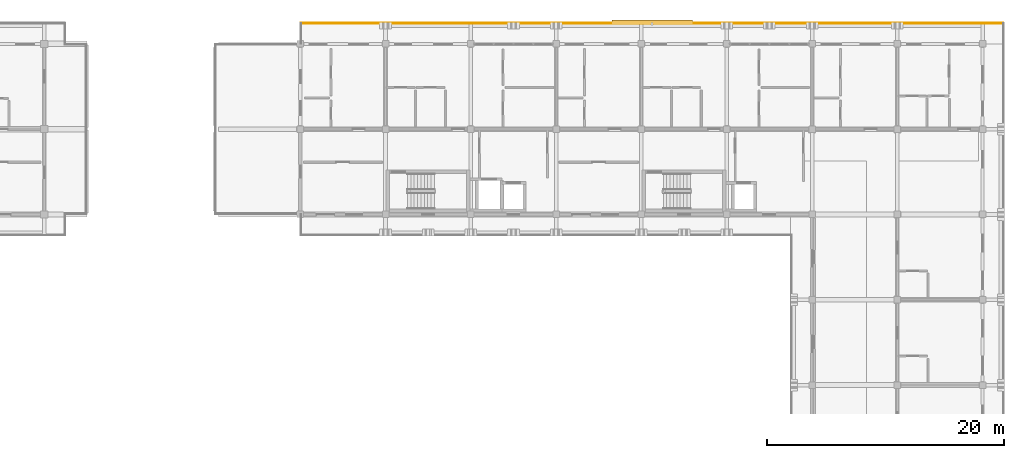
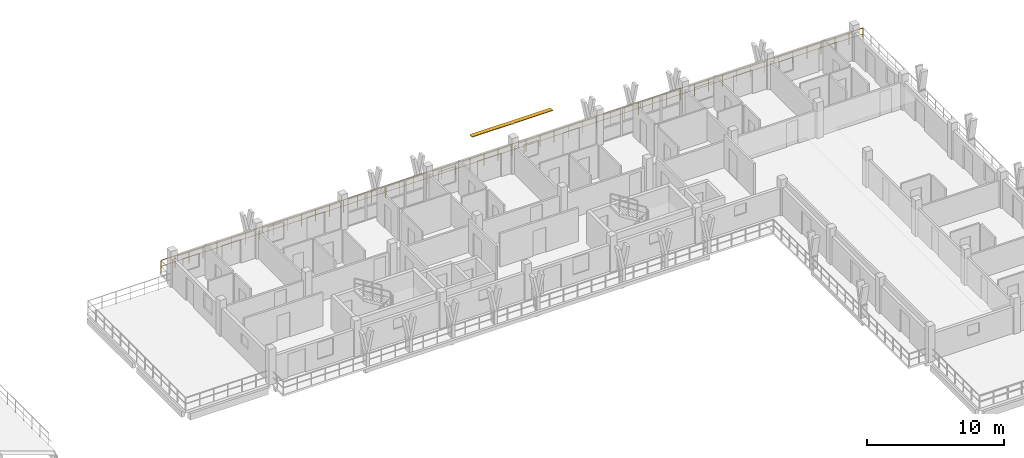
# One storey, part 73 of 73: 1 railing, 1 shading device.
"""IFC4 building model written with IfcOpenShell, lengths in metres."""

from ifc_helpers import new_model, si_unit, direction, frame, origin, origin_2d, place, context, subcontext, project, spatial, rectangle, extrude, material, type_object, element, save


model = new_model("IFC4")

# Units and contexts
model_context = context("Model", 3, precision=1e-05, world=origin(), true_north=direction((0.0, 1.0)))
body_context = subcontext(model_context, "Body", "Model", "MODEL_VIEW")
ifc_project = project(units=[si_unit("LENGTHUNIT", "METRE"), si_unit("AREAUNIT", "SQUARE_METRE"), si_unit("VOLUMEUNIT", "CUBIC_METRE"), si_unit("PLANEANGLEUNIT", "RADIAN"), si_unit("MASSUNIT", "GRAM", prefix="KILO")], contexts=[model_context])

# Site, building, storey
site_placement = place(None, origin())
site = spatial("IfcSite", under=ifc_project, at=site_placement, CompositionType="ELEMENT")
building_placement = place(site_placement, origin())
building = spatial("IfcBuilding", under=site, at=building_placement, Name="Suanplinth Sawtooth Commons", CompositionType="ELEMENT")
storey_placement = place(building_placement, frame((0.0, 0.0, 21.89990234375)))
storey = spatial("IfcBuildingStorey", under=building, at=storey_placement, Name="L06", CompositionType="ELEMENT", Elevation=21.89990234375)

# Railing
ifc_material_1 = material(Name="Powder-coated galvanized steel", Category="steel")
railing_type = type_object("IfcRailingType", Name="GR-01", PredefinedType="BALUSTRADE", material=ifc_material_1)
railing_placement = place(storey_placement, frame((129.659912109375, 124.139892578125, 0.0)))
element("IfcRailing", 1, at=railing_placement, inside=storey, type_object=railing_type, Name="L06 Block B Perimeter Balustrade 9", PredefinedType="BALUSTRADE", context=body_context, shape_type="SweptSolid", body=[
    extrude(rectangle(XDim=0.048095703125, YDim=0.048095703125, at=origin_2d()), frame((0.0, 0.0, 1.09619140625), z_axis=(1.0, 0.0, 0.0), x_axis=(0.0, 1.0, 0.0)), (0.0, 0.0, 1.0), 59.280029296875),
    extrude(rectangle(XDim=0.03369140625, YDim=0.03369140625, at=origin_2d()), frame((0.0, 0.0, 0.56005859375), z_axis=(1.0, 0.0, 0.0), x_axis=(0.0, 1.0, 0.0)), (0.0, 0.0, 1.0), 59.280029296875),
    extrude(rectangle(XDim=0.0419921875, YDim=0.0419921875, at=origin_2d()), origin(), (0.0, 0.0, 1.0), 1.072021484375),
    extrude(rectangle(XDim=0.0419921875, YDim=0.0419921875, at=origin_2d()), frame((1.185546875, 0.0, 0.0)), (0.0, 0.0, 1.0), 1.072021484375),
    extrude(rectangle(XDim=0.0419921875, YDim=0.0419921875, at=origin_2d()), frame((2.37109375, 0.0, 0.0)), (0.0, 0.0, 1.0), 1.072021484375),
    extrude(rectangle(XDim=0.0419921875, YDim=0.0419921875, at=origin_2d()), frame((3.556884765625, 0.0, 0.0)), (0.0, 0.0, 1.0), 1.072021484375),
    extrude(rectangle(XDim=0.0419921875, YDim=0.0419921875, at=origin_2d()), frame((4.742431640625, 0.0, 0.0)), (0.0, 0.0, 1.0), 1.072021484375),
    extrude(rectangle(XDim=0.0419921875, YDim=0.0419921875, at=origin_2d()), frame((5.927978515625, 0.0, 0.0)), (0.0, 0.0, 1.0), 1.072021484375),
    extrude(rectangle(XDim=0.0419921875, YDim=0.0419921875, at=origin_2d()), frame((7.113525390625, 0.0, 0.0)), (0.0, 0.0, 1.0), 1.072021484375),
    extrude(rectangle(XDim=0.0419921875, YDim=0.0419921875, at=origin_2d()), frame((8.29931640625, 0.0, 0.0)), (0.0, 0.0, 1.0), 1.072021484375),
    extrude(rectangle(XDim=0.0419921875, YDim=0.0419921875, at=origin_2d()), frame((9.48486328125, 0.0, 0.0)), (0.0, 0.0, 1.0), 1.072021484375),
    extrude(rectangle(XDim=0.0419921875, YDim=0.0419921875, at=origin_2d()), frame((10.67041015625, 0.0, 0.0)), (0.0, 0.0, 1.0), 1.072021484375),
    extrude(rectangle(XDim=0.0419921875, YDim=0.0419921875, at=origin_2d()), frame((11.85595703125, 0.0, 0.0)), (0.0, 0.0, 1.0), 1.072021484375),
    extrude(rectangle(XDim=0.0419921875, YDim=0.0419921875, at=origin_2d()), frame((13.04150390625, 0.0, 0.0)), (0.0, 0.0, 1.0), 1.072021484375),
    extrude(rectangle(XDim=0.0419921875, YDim=0.0419921875, at=origin_2d()), frame((14.227294921875, 0.0, 0.0)), (0.0, 0.0, 1.0), 1.072021484375),
    extrude(rectangle(XDim=0.0419921875, YDim=0.0419921875, at=origin_2d()), frame((15.412841796875, 0.0, 0.0)), (0.0, 0.0, 1.0), 1.072021484375),
    extrude(rectangle(XDim=0.0419921875, YDim=0.0419921875, at=origin_2d()), frame((16.598388671875, 0.0, 0.0)), (0.0, 0.0, 1.0), 1.072021484375),
    extrude(rectangle(XDim=0.0419921875, YDim=0.0419921875, at=origin_2d()), frame((17.783935546875, 0.0, 0.0)), (0.0, 0.0, 1.0), 1.072021484375),
    extrude(rectangle(XDim=0.0419921875, YDim=0.0419921875, at=origin_2d()), frame((18.9697265625, 0.0, 0.0)), (0.0, 0.0, 1.0), 1.072021484375),
    extrude(rectangle(XDim=0.0419921875, YDim=0.0419921875, at=origin_2d()), frame((20.1552734375, 0.0, 0.0)), (0.0, 0.0, 1.0), 1.072021484375),
    extrude(rectangle(XDim=0.0419921875, YDim=0.0419921875, at=origin_2d()), frame((21.3408203125, 0.0, 0.0)), (0.0, 0.0, 1.0), 1.072021484375),
    extrude(rectangle(XDim=0.0419921875, YDim=0.0419921875, at=origin_2d()), frame((22.5263671875, 0.0, 0.0)), (0.0, 0.0, 1.0), 1.072021484375),
    extrude(rectangle(XDim=0.0419921875, YDim=0.0419921875, at=origin_2d()), frame((23.7119140625, 0.0, 0.0)), (0.0, 0.0, 1.0), 1.072021484375),
    extrude(rectangle(XDim=0.0419921875, YDim=0.0419921875, at=origin_2d()), frame((24.897705078125, 0.0, 0.0)), (0.0, 0.0, 1.0), 1.072021484375),
    extrude(rectangle(XDim=0.0419921875, YDim=0.0419921875, at=origin_2d()), frame((26.083251953125, 0.0, 0.0)), (0.0, 0.0, 1.0), 1.072021484375),
    extrude(rectangle(XDim=0.0419921875, YDim=0.0419921875, at=origin_2d()), frame((27.268798828125, 0.0, 0.0)), (0.0, 0.0, 1.0), 1.072021484375),
    extrude(rectangle(XDim=0.0419921875, YDim=0.0419921875, at=origin_2d()), frame((28.454345703125, 0.0, 0.0)), (0.0, 0.0, 1.0), 1.072021484375),
    extrude(rectangle(XDim=0.0419921875, YDim=0.0419921875, at=origin_2d()), frame((29.64013671875, 0.0, 0.0)), (0.0, 0.0, 1.0), 1.072021484375),
    extrude(rectangle(XDim=0.0419921875, YDim=0.0419921875, at=origin_2d()), frame((30.82568359375, 0.0, 0.0)), (0.0, 0.0, 1.0), 1.072021484375),
    extrude(rectangle(XDim=0.0419921875, YDim=0.0419921875, at=origin_2d()), frame((32.01123046875, 0.0, 0.0)), (0.0, 0.0, 1.0), 1.072021484375),
    extrude(rectangle(XDim=0.0419921875, YDim=0.0419921875, at=origin_2d()), frame((33.19677734375, 0.0, 0.0)), (0.0, 0.0, 1.0), 1.072021484375),
    extrude(rectangle(XDim=0.0419921875, YDim=0.0419921875, at=origin_2d()), frame((34.38232421875, 0.0, 0.0)), (0.0, 0.0, 1.0), 1.072021484375),
    extrude(rectangle(XDim=0.0419921875, YDim=0.0419921875, at=origin_2d()), frame((35.568115234375, 0.0, 0.0)), (0.0, 0.0, 1.0), 1.072021484375),
    extrude(rectangle(XDim=0.0419921875, YDim=0.0419921875, at=origin_2d()), frame((36.753662109375, 0.0, 0.0)), (0.0, 0.0, 1.0), 1.072021484375),
    extrude(rectangle(XDim=0.0419921875, YDim=0.0419921875, at=origin_2d()), frame((37.939208984375, 0.0, 0.0)), (0.0, 0.0, 1.0), 1.072021484375),
    extrude(rectangle(XDim=0.0419921875, YDim=0.0419921875, at=origin_2d()), frame((39.124755859375, 0.0, 0.0)), (0.0, 0.0, 1.0), 1.072021484375),
    extrude(rectangle(XDim=0.0419921875, YDim=0.0419921875, at=origin_2d()), frame((40.310302734375, 0.0, 0.0)), (0.0, 0.0, 1.0), 1.072021484375),
    extrude(rectangle(XDim=0.0419921875, YDim=0.0419921875, at=origin_2d()), frame((41.49609375, 0.0, 0.0)), (0.0, 0.0, 1.0), 1.072021484375),
    extrude(rectangle(XDim=0.0419921875, YDim=0.0419921875, at=origin_2d()), frame((42.681640625, 0.0, 0.0)), (0.0, 0.0, 1.0), 1.072021484375),
    extrude(rectangle(XDim=0.0419921875, YDim=0.0419921875, at=origin_2d()), frame((43.8671875, 0.0, 0.0)), (0.0, 0.0, 1.0), 1.072021484375),
    extrude(rectangle(XDim=0.0419921875, YDim=0.0419921875, at=origin_2d()), frame((45.052734375, 0.0, 0.0)), (0.0, 0.0, 1.0), 1.072021484375),
    extrude(rectangle(XDim=0.0419921875, YDim=0.0419921875, at=origin_2d()), frame((46.238525390625, 0.0, 0.0)), (0.0, 0.0, 1.0), 1.072021484375),
    extrude(rectangle(XDim=0.0419921875, YDim=0.0419921875, at=origin_2d()), frame((47.424072265625, 0.0, 0.0)), (0.0, 0.0, 1.0), 1.072021484375),
    extrude(rectangle(XDim=0.0419921875, YDim=0.0419921875, at=origin_2d()), frame((48.609619140625, 0.0, 0.0)), (0.0, 0.0, 1.0), 1.072021484375),
    extrude(rectangle(XDim=0.0419921875, YDim=0.0419921875, at=origin_2d()), frame((49.795166015625, 0.0, 0.0)), (0.0, 0.0, 1.0), 1.072021484375),
    extrude(rectangle(XDim=0.0419921875, YDim=0.0419921875, at=origin_2d()), frame((50.980712890625, 0.0, 0.0)), (0.0, 0.0, 1.0), 1.072021484375),
    extrude(rectangle(XDim=0.0419921875, YDim=0.0419921875, at=origin_2d()), frame((52.16650390625, 0.0, 0.0)), (0.0, 0.0, 1.0), 1.072021484375),
    extrude(rectangle(XDim=0.0419921875, YDim=0.0419921875, at=origin_2d()), frame((53.35205078125, 0.0, 0.0)), (0.0, 0.0, 1.0), 1.072021484375),
    extrude(rectangle(XDim=0.0419921875, YDim=0.0419921875, at=origin_2d()), frame((54.53759765625, 0.0, 0.0)), (0.0, 0.0, 1.0), 1.072021484375),
    extrude(rectangle(XDim=0.0419921875, YDim=0.0419921875, at=origin_2d()), frame((55.72314453125, 0.0, 0.0)), (0.0, 0.0, 1.0), 1.072021484375),
    extrude(rectangle(XDim=0.0419921875, YDim=0.0419921875, at=origin_2d()), frame((56.908935546875, 0.0, 0.0)), (0.0, 0.0, 1.0), 1.072021484375),
    extrude(rectangle(XDim=0.0419921875, YDim=0.0419921875, at=origin_2d()), frame((58.094482421875, 0.0, 0.0)), (0.0, 0.0, 1.0), 1.072021484375),
    extrude(rectangle(XDim=0.0419921875, YDim=0.0419921875, at=origin_2d()), frame((59.280029296875, 0.0, 0.0)), (0.0, 0.0, 1.0), 1.072021484375),
])

# Shading device
ifc_material_2 = material(Name="Anodized aluminium 6063-T6", Category="aluminium")
shading_device_type = type_object("IfcShadingDeviceType", Name="SHD-01", PredefinedType="JALOUSIE", material=ifc_material_2)
shading_device_placement = place(storey_placement, frame((159.300048828125, 124.239990234375, 2.920166015625), z_axis=(0.0, 0.0, 1.0), x_axis=(1.0, 0.0, 0.0)))
element("IfcShadingDevice", 2, at=shading_device_placement, inside=storey, type_object=shading_device_type, Name="Monsoon Louvre L06-B-1", PredefinedType="JALOUSIE", context=body_context, shape_type="SweptSolid", body=[
    extrude(rectangle(XDim=6.800048828125, YDim=0.35009765625, at=origin_2d()), origin(), (0.0, 0.0, 1.0), 0.06005859375),
])

save(model, "model.ifc")
